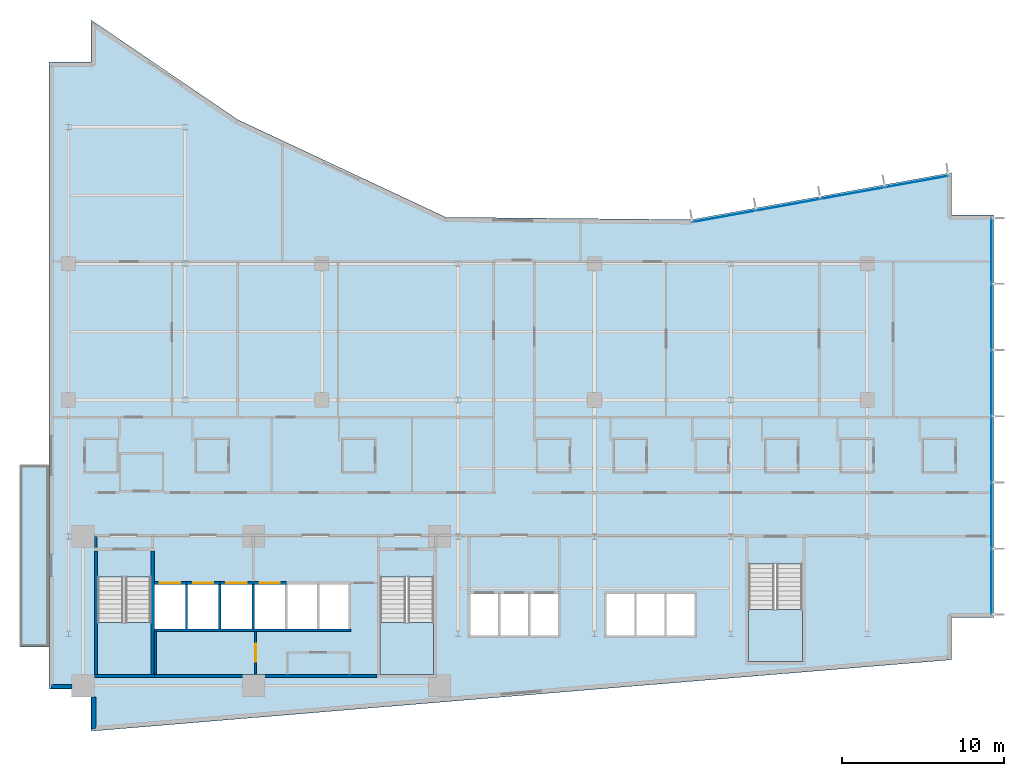
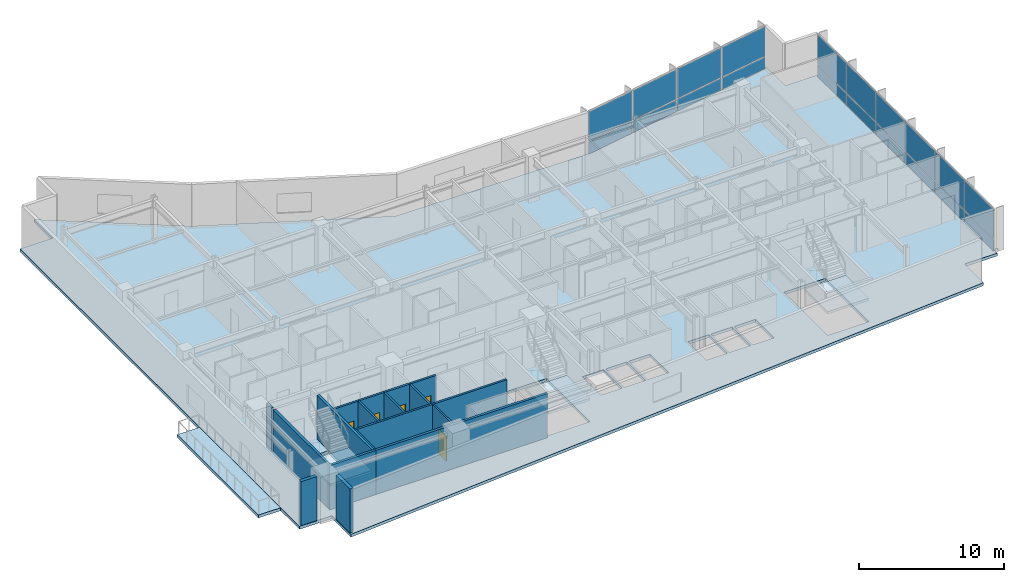
# One storey, part 11 of 20: 20 plates, 17 walls, 5 doors, 5 slabs, 5 openings, 5 elements without a shape of their own.
"""IFC4 building model written with IfcOpenShell, lengths in metres."""

from ifc_helpers import new_model, si_unit, direction, frame, frame_2d, origin, origin_2d, place, context, subcontext, project, spatial, polyline, rectangle, outline, extrude, material, layer, layer_set, type_object, element, fill, aggregate, save


model = new_model("IFC4")

# Units and contexts
model_context = context("Model", 3, precision=1e-05, world=origin(), true_north=direction((0.0, 1.0)))
body_context = subcontext(model_context, "Body", "Model", "MODEL_VIEW")
ifc_project = project(units=[si_unit("LENGTHUNIT", "METRE"), si_unit("AREAUNIT", "SQUARE_METRE"), si_unit("VOLUMEUNIT", "CUBIC_METRE"), si_unit("PLANEANGLEUNIT", "RADIAN"), si_unit("MASSUNIT", "GRAM", prefix="KILO")], contexts=[model_context])

# Site, building, storey
site_placement = place(None, origin())
site = spatial("IfcSite", under=ifc_project, at=site_placement, CompositionType="ELEMENT")
building_placement = place(site_placement, origin())
building = spatial("IfcBuilding", under=site, at=building_placement, Name="Varnakote Quay Hospital", CompositionType="ELEMENT")
storey_placement = place(building_placement, frame((0.0, 0.0, 58.050048828125)))
storey = spatial("IfcBuildingStorey", under=building, at=storey_placement, Name="L14", CompositionType="ELEMENT", Elevation=58.050048828125)

# Curtain wall, plates
ifc_material_1 = material(Name="Anodised aluminium 6063-T6 Bronze", Category="aluminium")
ifc_layer_1 = layer(ifc_material_1, 0.18994140625)
ifc_layer_set_1 = layer_set([ifc_layer_1], Name="Anodised aluminium 6063-T6 Bronze")
curtain_wall_type = type_object("IfcCurtainWallType", Name="CW-SYS-2", PredefinedType="NOTDEFINED", material=ifc_layer_set_1)
curtain_wall_1_placement = place(storey_placement, origin())
curtain_wall_1 = element("IfcCurtainWall", 1, at=curtain_wall_1_placement, inside=storey, type_object=curtain_wall_type, Name="L14 Unitised Bronze Curtain Wall 1", PredefinedType="NOTDEFINED")
ifc_material_2 = material(Name="Double-glazed acoustic laminated glass", Category="glass")
ifc_layer_2 = layer(ifc_material_2, 0.031982421875)
ifc_layer_set_2 = layer_set([ifc_layer_2], Name="Double-glazed acoustic laminated glass")
plate_type = type_object("IfcPlateType", Name="CW-PNL-GLZ-32", PredefinedType="CURTAIN_PANEL", material=ifc_layer_set_2)
plate_1_placement = place(storey_placement, frame((58.0400390625, 9.21875, 0.07470703125), z_axis=(0.0, 0.0, 1.0), x_axis=(0.0, 1.0, 0.0)))
plate_1 = element("IfcPlate", 2, at=plate_1_placement, type_object=plate_type, Name="-2-L14-1 panel 1.1", PredefinedType="CURTAIN_PANEL", context=body_context, shape_type="SweptSolid", body=[
    extrude(rectangle(XDim=3.967529296875, YDim=0.031982421875, at=origin_2d()), origin(), (0.0, 0.0, 1.0), 0.987548828125),
])
plate_2_placement = place(storey_placement, frame((58.0400390625, 9.21875, 1.137451171875), z_axis=(0.0, 0.0, 1.0), x_axis=(0.0, 1.0, 0.0)))
plate_2 = element("IfcPlate", 3, at=plate_2_placement, type_object=plate_type, Name="-2-L14-1 panel 1.2", PredefinedType="CURTAIN_PANEL", context=body_context, shape_type="SweptSolid", body=[
    extrude(rectangle(XDim=3.967529296875, YDim=0.031982421875, at=origin_2d()), origin(), (0.0, 0.0, 1.0), 2.49755859375),
])
plate_3_placement = place(storey_placement, frame((58.0400390625, 13.280029296875, 0.07470703125), z_axis=(0.0, 0.0, 1.0), x_axis=(0.0, 1.0, 0.0)))
plate_3 = element("IfcPlate", 4, at=plate_3_placement, type_object=plate_type, Name="-2-L14-1 panel 2.1", PredefinedType="CURTAIN_PANEL", context=body_context, shape_type="SweptSolid", body=[
    extrude(rectangle(XDim=4.0048828125, YDim=0.031982421875, at=origin_2d()), origin(), (0.0, 0.0, 1.0), 0.987548828125),
])
plate_4_placement = place(storey_placement, frame((58.0400390625, 13.280029296875, 1.137451171875), z_axis=(0.0, 0.0, 1.0), x_axis=(0.0, 1.0, 0.0)))
plate_4 = element("IfcPlate", 5, at=plate_4_placement, type_object=plate_type, Name="-2-L14-1 panel 2.2", PredefinedType="CURTAIN_PANEL", context=body_context, shape_type="SweptSolid", body=[
    extrude(rectangle(XDim=4.0048828125, YDim=0.031982421875, at=origin_2d()), origin(), (0.0, 0.0, 1.0), 2.49755859375),
])
plate_5_placement = place(storey_placement, frame((58.0400390625, 17.360107421875, 0.07470703125), z_axis=(0.0, 0.0, 1.0), x_axis=(0.0, 1.0, 0.0)))
plate_5 = element("IfcPlate", 6, at=plate_5_placement, type_object=plate_type, Name="-2-L14-1 panel 3.1", PredefinedType="CURTAIN_PANEL", context=body_context, shape_type="SweptSolid", body=[
    extrude(rectangle(XDim=4.0048828125, YDim=0.031982421875, at=origin_2d()), origin(), (0.0, 0.0, 1.0), 0.987548828125),
])
plate_6_placement = place(storey_placement, frame((58.0400390625, 17.360107421875, 1.137451171875), z_axis=(0.0, 0.0, 1.0), x_axis=(0.0, 1.0, 0.0)))
plate_6 = element("IfcPlate", 7, at=plate_6_placement, type_object=plate_type, Name="-2-L14-1 panel 3.2", PredefinedType="CURTAIN_PANEL", context=body_context, shape_type="SweptSolid", body=[
    extrude(rectangle(XDim=4.0048828125, YDim=0.031982421875, at=origin_2d()), origin(), (0.0, 0.0, 1.0), 2.49755859375),
])
plate_7_placement = place(storey_placement, frame((58.0400390625, 21.43994140625, 0.07470703125), z_axis=(0.0, 0.0, 1.0), x_axis=(0.0, 1.0, 0.0)))
plate_7 = element("IfcPlate", 8, at=plate_7_placement, type_object=plate_type, Name="-2-L14-1 panel 4.1", PredefinedType="CURTAIN_PANEL", context=body_context, shape_type="SweptSolid", body=[
    extrude(rectangle(XDim=4.0048828125, YDim=0.031982421875, at=origin_2d()), origin(), (0.0, 0.0, 1.0), 0.987548828125),
])
plate_8_placement = place(storey_placement, frame((58.0400390625, 21.43994140625, 1.137451171875), z_axis=(0.0, 0.0, 1.0), x_axis=(0.0, 1.0, 0.0)))
plate_8 = element("IfcPlate", 9, at=plate_8_placement, type_object=plate_type, Name="-2-L14-1 panel 4.2", PredefinedType="CURTAIN_PANEL", context=body_context, shape_type="SweptSolid", body=[
    extrude(rectangle(XDim=4.0048828125, YDim=0.031982421875, at=origin_2d()), origin(), (0.0, 0.0, 1.0), 2.49755859375),
])
plate_9_placement = place(storey_placement, frame((58.0400390625, 25.52001953125, 0.07470703125), z_axis=(0.0, 0.0, 1.0), x_axis=(0.0, 1.0, 0.0)))
plate_9 = element("IfcPlate", 10, at=plate_9_placement, type_object=plate_type, Name="-2-L14-1 panel 5.1", PredefinedType="CURTAIN_PANEL", context=body_context, shape_type="SweptSolid", body=[
    extrude(rectangle(XDim=4.0048828125, YDim=0.031982421875, at=origin_2d()), origin(), (0.0, 0.0, 1.0), 0.987548828125),
])
plate_10_placement = place(storey_placement, frame((58.0400390625, 25.52001953125, 1.137451171875), z_axis=(0.0, 0.0, 1.0), x_axis=(0.0, 1.0, 0.0)))
plate_10 = element("IfcPlate", 11, at=plate_10_placement, type_object=plate_type, Name="-2-L14-1 panel 5.2", PredefinedType="CURTAIN_PANEL", context=body_context, shape_type="SweptSolid", body=[
    extrude(rectangle(XDim=4.0048828125, YDim=0.031982421875, at=origin_2d()), origin(), (0.0, 0.0, 1.0), 2.49755859375),
])
plate_11_placement = place(storey_placement, frame((58.0400390625, 29.581298828125, 0.07470703125), z_axis=(0.0, 0.0, 1.0), x_axis=(0.0, 1.0, 0.0)))
plate_11 = element("IfcPlate", 12, at=plate_11_placement, type_object=plate_type, Name="-2-L14-1 panel 6.1", PredefinedType="CURTAIN_PANEL", context=body_context, shape_type="SweptSolid", body=[
    extrude(rectangle(XDim=3.967529296875, YDim=0.031982421875, at=origin_2d()), origin(), (0.0, 0.0, 1.0), 0.987548828125),
])
plate_12_placement = place(storey_placement, frame((58.0400390625, 29.581298828125, 1.137451171875), z_axis=(0.0, 0.0, 1.0), x_axis=(0.0, 1.0, 0.0)))
plate_12 = element("IfcPlate", 13, at=plate_12_placement, type_object=plate_type, Name="-2-L14-1 panel 6.2", PredefinedType="CURTAIN_PANEL", context=body_context, shape_type="SweptSolid", body=[
    extrude(rectangle(XDim=3.967529296875, YDim=0.031982421875, at=origin_2d()), origin(), (0.0, 0.0, 1.0), 2.49755859375),
])
aggregate(curtain_wall_1, [plate_1, plate_2, plate_3, plate_4, plate_5, plate_6, plate_7, plate_8, plate_9, plate_10, plate_11, plate_12])

curtain_wall_2_placement = place(storey_placement, origin())
curtain_wall_2 = element("IfcCurtainWall", 14, at=curtain_wall_2_placement, inside=storey, type_object=curtain_wall_type, Name="L14 Unitised Bronze Curtain Wall 2", PredefinedType="NOTDEFINED")
plate_13_placement = place(storey_placement, frame((53.440185546875, 33.84716796875, 0.07470703125), z_axis=(0.0, 0.0, 1.0), x_axis=(-0.984058295766, -0.177846199098, 0.0)))
plate_13 = element("IfcPlate", 15, at=plate_13_placement, type_object=plate_type, Name="-2-L14-2 panel 1.1", PredefinedType="CURTAIN_PANEL", context=body_context, shape_type="SweptSolid", body=[
    extrude(rectangle(XDim=3.914306640625, YDim=0.031982421875, at=origin_2d()), origin(), (0.0, 0.0, 1.0), 0.987548828125),
])
plate_14_placement = place(storey_placement, frame((53.440185546875, 33.84716796875, 1.137451171875), z_axis=(0.0, 0.0, 1.0), x_axis=(-0.984058295766, -0.177846199098, 0.0)))
plate_14 = element("IfcPlate", 16, at=plate_14_placement, type_object=plate_type, Name="-2-L14-2 panel 1.2", PredefinedType="CURTAIN_PANEL", context=body_context, shape_type="SweptSolid", body=[
    extrude(rectangle(XDim=3.914306640625, YDim=0.031982421875, at=origin_2d()), origin(), (0.0, 0.0, 1.0), 2.49755859375),
])
plate_15_placement = place(storey_placement, frame((49.49609375, 33.13427734375, 0.07470703125), z_axis=(0.0, 0.0, 1.0), x_axis=(-0.984058295766, -0.177846199098, 0.0)))
plate_15 = element("IfcPlate", 17, at=plate_15_placement, type_object=plate_type, Name="-2-L14-2 panel 2.1", PredefinedType="CURTAIN_PANEL", context=body_context, shape_type="SweptSolid", body=[
    extrude(rectangle(XDim=3.951904296875, YDim=0.031982421875, at=origin_2d()), origin(), (0.0, 0.0, 1.0), 0.987548828125),
])
plate_16_placement = place(storey_placement, frame((49.49609375, 33.13427734375, 1.137451171875), z_axis=(0.0, 0.0, 1.0), x_axis=(-0.984058295766, -0.177846199098, 0.0)))
plate_16 = element("IfcPlate", 18, at=plate_16_placement, type_object=plate_type, Name="-2-L14-2 panel 2.2", PredefinedType="CURTAIN_PANEL", context=body_context, shape_type="SweptSolid", body=[
    extrude(rectangle(XDim=3.951904296875, YDim=0.031982421875, at=origin_2d()), origin(), (0.0, 0.0, 1.0), 2.49755859375),
])
plate_17_placement = place(storey_placement, frame((45.533447265625, 32.418212890625, 0.07470703125), z_axis=(0.0, 0.0, 1.0), x_axis=(-0.984058295766, -0.177846199098, 0.0)))
plate_17 = element("IfcPlate", 19, at=plate_17_placement, type_object=plate_type, Name="-2-L14-2 panel 3.1", PredefinedType="CURTAIN_PANEL", context=body_context, shape_type="SweptSolid", body=[
    extrude(rectangle(XDim=3.951904296875, YDim=0.031982421875, at=origin_2d()), origin(), (0.0, 0.0, 1.0), 0.987548828125),
])
plate_18_placement = place(storey_placement, frame((45.533447265625, 32.418212890625, 1.137451171875), z_axis=(0.0, 0.0, 1.0), x_axis=(-0.984058295766, -0.177846199098, 0.0)))
plate_18 = element("IfcPlate", 20, at=plate_18_placement, type_object=plate_type, Name="-2-L14-2 panel 3.2", PredefinedType="CURTAIN_PANEL", context=body_context, shape_type="SweptSolid", body=[
    extrude(rectangle(XDim=3.951904296875, YDim=0.031982421875, at=origin_2d()), origin(), (0.0, 0.0, 1.0), 2.49755859375),
])
plate_19_placement = place(storey_placement, frame((41.58935546875, 31.705322265625, 0.07470703125), z_axis=(0.0, 0.0, 1.0), x_axis=(-0.984058295766, -0.177846199098, 0.0)))
plate_19 = element("IfcPlate", 21, at=plate_19_placement, type_object=plate_type, Name="-2-L14-2 panel 4.1", PredefinedType="CURTAIN_PANEL", context=body_context, shape_type="SweptSolid", body=[
    extrude(rectangle(XDim=3.914306640625, YDim=0.031982421875, at=origin_2d()), origin(), (0.0, 0.0, 1.0), 0.987548828125),
])
plate_20_placement = place(storey_placement, frame((41.58935546875, 31.705322265625, 1.137451171875), z_axis=(0.0, 0.0, 1.0), x_axis=(-0.984058295766, -0.177846199098, 0.0)))
plate_20 = element("IfcPlate", 22, at=plate_20_placement, type_object=plate_type, Name="-2-L14-2 panel 4.2", PredefinedType="CURTAIN_PANEL", context=body_context, shape_type="SweptSolid", body=[
    extrude(rectangle(XDim=3.914306640625, YDim=0.031982421875, at=origin_2d()), origin(), (0.0, 0.0, 1.0), 2.49755859375),
])
aggregate(curtain_wall_2, [plate_13, plate_14, plate_15, plate_16, plate_17, plate_18, plate_19, plate_20])

# Stair, slab
ifc_material_3 = material(Name="Concrete N40 (f'c 40 MPa)", Category="concrete")
stair_type = type_object("IfcStairType", Name="STR-CORE-1580", PredefinedType="HALF_TURN_STAIR", material=ifc_material_3)
stair_1_placement = place(storey_placement, origin())
stair_1 = element("IfcStair", 23, at=stair_1_placement, inside=storey, type_object=stair_type, Name="L14 Fire-Isolated Exit Stair ST-01", PredefinedType="HALF_TURN_STAIR")
ifc_material_4 = material(Name="Concrete N40 (f'c 40 MPa)", Category="concrete")
ifc_layer_3 = layer(ifc_material_4, 0.199951171875)
ifc_layer_set_3 = layer_set([ifc_layer_3], Name="Concrete N40 (f'c 40 MPa)")
slab_type_1 = type_object("IfcSlabType", Name="SLB-STAIR-LND-200", PredefinedType="LANDING", material=ifc_layer_set_3)
slab_1_placement = place(storey_placement, frame((0.0, 0.0, 1.77490234375)))
slab_1 = element("IfcSlab", 24, at=slab_1_placement, type_object=slab_type_1, Name="ST-01 landing 1", PredefinedType="LANDING", context=body_context, shape_type="SweptSolid", body=[
    extrude(outline(polyline([(3.0, 6.699951171875), (3.0, 3.5), (6.300048828125, 3.5), (6.300048828125, 6.699951171875), (3.0, 6.699951171875)])), origin(), (0.0, 0.0, 1.0), 0.199951171875),
])
aggregate(stair_1, [slab_1])

stair_2_placement = place(storey_placement, origin())
stair_2 = element("IfcStair", 25, at=stair_2_placement, inside=storey, type_object=stair_type, Name="L14 Fire-Isolated Exit Stair ST-02", PredefinedType="HALF_TURN_STAIR")
slab_2_placement = place(storey_placement, frame((0.0, 0.0, 1.77490234375)))
slab_2 = element("IfcSlab", 26, at=slab_2_placement, type_object=slab_type_1, Name="ST-02 landing 1", PredefinedType="LANDING", context=body_context, shape_type="SweptSolid", body=[
    extrude(outline(polyline([(20.39990234375, 6.699951171875), (20.39990234375, 3.5), (23.699951171875, 3.5), (23.699951171875, 6.699951171875), (20.39990234375, 6.699951171875)])), origin(), (0.0, 0.0, 1.0), 0.199951171875),
])
aggregate(stair_2, [slab_2])

stair_3_placement = place(storey_placement, origin())
stair_3 = element("IfcStair", 27, at=stair_3_placement, inside=storey, type_object=stair_type, Name="L14 Fire-Isolated Exit Stair ST-03", PredefinedType="HALF_TURN_STAIR")
slab_3_placement = place(storey_placement, frame((0.0, 0.0, 1.77490234375)))
slab_3 = element("IfcSlab", 28, at=slab_3_placement, type_object=slab_type_1, Name="ST-03 landing 1", PredefinedType="LANDING", context=body_context, shape_type="SweptSolid", body=[
    extrude(outline(polyline([(43.10009765625, 7.5), (43.10009765625, 4.300048828125), (46.39990234375, 4.300048828125), (46.39990234375, 7.5), (43.10009765625, 7.5)])), origin(), (0.0, 0.0, 1.0), 0.199951171875),
])
aggregate(stair_3, [slab_3])

# Slabs
ifc_material_5 = material(Name="Concrete N50 (f'c 50 MPa)", Category="concrete")
ifc_layer_4 = layer(ifc_material_5, 0.239990234375)
ifc_layer_set_4 = layer_set([ifc_layer_4], Name="Concrete N50 (f'c 50 MPa)")
slab_type_2 = type_object("IfcSlabType", Name="SLB-TERR-200", PredefinedType="FLOOR", material=ifc_layer_set_4)
slab_4_placement = place(storey_placement, frame((0.0, 0.0, -0.239990234375)))
element("IfcSlab", 29, at=slab_4_placement, inside=storey, type_object=slab_type_2, Name="L14 Waterfront Healing Terrace Slab", PredefinedType="FLOOR", context=body_context, shape_type="SweptSolid", body=[
    extrude(outline(polyline([(0.00390625, 5.199951171875), (0.00390625, 16.39990234375), (-1.780029296875, 16.39990234375), (-1.780029296875, 5.199951171875), (0.00390625, 5.199951171875)])), origin(), (0.0, 0.0, 1.0), 0.239990234375),
])
ifc_material_6 = material(Name="Concrete N50 (f'c 50 MPa)", Category="concrete")
ifc_layer_5 = layer(ifc_material_6, 0.239990234375)
ifc_layer_set_5 = layer_set([ifc_layer_5], Name="Concrete N50 (f'c 50 MPa)")
slab_type_3 = type_object("IfcSlabType", Name="SLB-WARD-200", PredefinedType="FLOOR", material=ifc_layer_set_5)
slab_5_placement = place(storey_placement, frame((0.0, 0.0, -0.239990234375)))
element("IfcSlab", 30, at=slab_5_placement, inside=storey, type_object=slab_type_3, Name="L14 Primary Floor Slab", PredefinedType="FLOOR", context=body_context, shape_type="SweptSolid", body=[
    extrude(outline(polyline([(0.0, 2.60009765625), (2.60009765625, 2.60009765625), (2.60009765625, 0.0), (55.60009765625, 4.39990234375), (55.60009765625, 7.0), (58.199951171875, 7.0), (58.199951171875, 31.800048828125), (55.60009765625, 31.800048828125), (55.60009765625, 34.39990234375), (39.575927734375, 31.50390625), (24.444091796875, 31.652099609375), (11.639892578125, 37.656005859375), (2.60009765625, 43.800048828125), (2.60009765625, 41.199951171875), (0.0, 41.199951171875), (0.0, 2.60009765625)]), holes=[polyline([(3.0, 3.5), (6.300048828125, 3.5), (6.300048828125, 9.49951171875), (3.0, 9.49951171875), (3.0, 3.5)]), polyline([(20.39990234375, 3.5), (23.699951171875, 3.5), (23.699951171875, 9.49951171875), (20.39990234375, 9.49951171875), (20.39990234375, 3.5)]), polyline([(43.10009765625, 4.300048828125), (46.39990234375, 4.300048828125), (46.39990234375, 10.29931640625), (43.10009765625, 10.29931640625), (43.10009765625, 4.300048828125)]), polyline([(6.5, 6.300048828125), (8.39990234375, 6.300048828125), (8.39990234375, 9.050048828125), (6.5, 9.050048828125), (6.5, 6.300048828125)]), polyline([(8.550048828125, 6.300048828125), (10.449951171875, 6.300048828125), (10.449951171875, 9.050048828125), (8.550048828125, 9.050048828125), (8.550048828125, 6.300048828125)]), polyline([(10.60009765625, 6.300048828125), (12.5, 6.300048828125), (12.5, 9.050048828125), (10.60009765625, 9.050048828125), (10.60009765625, 6.300048828125)]), polyline([(12.64990234375, 6.300048828125), (14.550048828125, 6.300048828125), (14.550048828125, 9.050048828125), (12.64990234375, 9.050048828125), (12.64990234375, 6.300048828125)]), polyline([(14.699951171875, 6.300048828125), (16.5, 6.300048828125), (16.5, 9.050048828125), (14.699951171875, 9.050048828125), (14.699951171875, 6.300048828125)]), polyline([(16.64990234375, 6.300048828125), (18.449951171875, 6.300048828125), (18.449951171875, 9.050048828125), (16.64990234375, 9.050048828125), (16.64990234375, 6.300048828125)]), polyline([(25.949951171875, 5.89990234375), (27.64990234375, 5.89990234375), (27.64990234375, 8.449951171875), (25.949951171875, 8.449951171875), (25.949951171875, 5.89990234375)]), polyline([(27.800048828125, 5.89990234375), (29.5, 5.89990234375), (29.5, 8.449951171875), (27.800048828125, 8.449951171875), (27.800048828125, 5.89990234375)]), polyline([(29.64990234375, 5.89990234375), (31.35009765625, 5.89990234375), (31.35009765625, 8.449951171875), (29.64990234375, 8.449951171875), (29.64990234375, 5.89990234375)]), polyline([(34.35009765625, 5.89990234375), (36.050048828125, 5.89990234375), (36.050048828125, 8.449951171875), (34.35009765625, 8.449951171875), (34.35009765625, 5.89990234375)]), polyline([(36.199951171875, 5.89990234375), (37.89990234375, 5.89990234375), (37.89990234375, 8.449951171875), (36.199951171875, 8.449951171875), (36.199951171875, 5.89990234375)]), polyline([(38.050048828125, 5.89990234375), (39.75, 5.89990234375), (39.75, 8.449951171875), (38.050048828125, 8.449951171875), (38.050048828125, 5.89990234375)])]), origin(), (0.0, 0.0, 1.0), 0.239990234375),
])

# Walls
ifc_material_7 = material(Name="Fire-rated acoustic gypsum stud wall", Category="gypsum")
ifc_layer_6 = layer(ifc_material_7, 0.159912109375)
ifc_layer_set_6 = layer_set([ifc_layer_6], Name="Fire-rated acoustic gypsum stud wall")
wall_type_1 = type_object("IfcWallType", Name="WL-COMP-160", PredefinedType="PARTITIONING", material=ifc_layer_set_6)
wall_1_placement = place(storey_placement, frame((2.8798828125, 11.300048828125, 0.0), z_axis=(0.0, 0.0, 1.0), x_axis=(0.0, 1.0, 0.0)))
element("IfcWall", 31, at=wall_1_placement, inside=storey, type_object=wall_type_1, Name="L14 West Stair Vestibule West Wall", PredefinedType="PARTITIONING", context=body_context, shape_type="SweptSolid", body=[
    extrude(rectangle(XDim=0.699951171875, YDim=0.159912109375, at=frame_2d((0.35009765625, 0.0))), origin(), (0.0, 0.0, 1.0), 3.7099609375),
])
ifc_material_8 = material(Name="Concrete N80 (f'c 80 MPa)", Category="concrete")
ifc_layer_7 = layer(ifc_material_8, 0.199951171875)
ifc_layer_set_7 = layer_set([ifc_layer_7], Name="Concrete N80 (f'c 80 MPa)")
wall_type_2 = type_object("IfcWallType", Name="WL-CORE-N80-200", PredefinedType="SHEAR", material=ifc_layer_set_7)
wall_2_placement = place(storey_placement, frame((6.5, 3.39990234375, 0.0), z_axis=(0.0, 0.0, 1.0), x_axis=(1.0, 0.0, 0.0)))
element("IfcWall", 32, at=wall_2_placement, inside=storey, type_object=wall_type_2, Name="L14 Rear Core South Shear Wall", PredefinedType="SHEAR", context=body_context, shape_type="SweptSolid", body=[
    extrude(rectangle(XDim=13.699951171875, YDim=0.199951171875, at=frame_2d((6.85009765625, 0.0))), origin(), (0.0, 0.0, 1.0), 3.7099609375),
])
ifc_material_9 = material(Name="Precast concrete N50 (f'c 50 MPa)", Category="concrete")
ifc_layer_8 = layer(ifc_material_9, 0.260009765625)
ifc_layer_set_8 = layer_set([ifc_layer_8], Name="Precast concrete N50 (f'c 50 MPa)")
wall_type_3 = type_object("IfcWallType", Name="WL-EXT-BRICK-260", PredefinedType="STANDARD", material=ifc_layer_set_8)
wall_3_placement = place(storey_placement, frame((2.760009765625, 2.114990234375, 0.0), z_axis=(0.0, 0.0, 1.0), x_axis=(0.0, -1.0, 0.0)))
element("IfcWall", 33, at=wall_3_placement, inside=storey, type_object=wall_type_3, Name="L14 Brick-Faced Precast Exterior Wall", PredefinedType="STANDARD", context=body_context, shape_type="SweptSolid", body=[
    extrude(rectangle(XDim=1.941162109375, YDim=0.260009765625, at=frame_2d((0.970703125, 0.0))), origin(), (0.0, 0.0, 1.0), 3.7099609375),
])
wall_4_placement = place(storey_placement, frame((0.159912109375, 2.760009765625, 0.0), z_axis=(0.0, 0.0, 1.0), x_axis=(1.0, 0.0, 0.0)))
element("IfcWall", 34, at=wall_4_placement, inside=storey, type_object=wall_type_3, Name="L14 Brick-Faced Precast Exterior Wall", PredefinedType="STANDARD", context=body_context, shape_type="SweptSolid", body=[
    extrude(rectangle(XDim=1.255126953125, YDim=0.260009765625, at=frame_2d((0.62744140625, 0.0))), origin(), (0.0, 0.0, 1.0), 3.7099609375),
])
ifc_material_10 = material(Name="Concrete N50 (f'c 50 MPa)", Category="concrete")
ifc_layer_9 = layer(ifc_material_10, 0.14990234375)
ifc_layer_set_9 = layer_set([ifc_layer_9], Name="Concrete N50 (f'c 50 MPa)")
wall_type_4 = type_object("IfcWallType", Name="WL-SHAFT-N50-150", PredefinedType="SHEAR", material=ifc_layer_set_9)
for number, where, z_axis, x_axis, name in (
    (35, (8.47509765625, 6.300048828125, 0.0), (0.0, 0.0, 1.0), (0.0, 1.0, 0.0), "L14 LF-FF1 Hoistway Divider Wall"),
    (36, (10.52490234375, 6.300048828125, 0.0), (0.0, 0.0, 1.0), (0.0, 1.0, 0.0), "L14 LF-FF2 Hoistway Divider Wall"),
    (37, (12.574951171875, 6.300048828125, 0.0), (0.0, 0.0, 1.0), (0.0, 1.0, 0.0), "L14 LF-SV1 Hoistway Divider Wall"),
):
    element("IfcWall", number, at=place(storey_placement, frame(where, z_axis=z_axis, x_axis=x_axis)), inside=storey, type_object=wall_type_4, Name=name, PredefinedType="SHEAR", context=body_context, shape_type="SweptSolid", body=[
        extrude(rectangle(XDim=2.75, YDim=0.14990234375, at=frame_2d((1.375, 0.0))), origin(), (0.0, 0.0, 1.0), 3.7099609375),
    ])
ifc_material_11 = material(Name="Concrete N50 (f'c 50 MPa)", Category="concrete")
ifc_layer_10 = layer(ifc_material_11, 0.159912109375)
ifc_layer_set_10 = layer_set([ifc_layer_10], Name="Concrete N50 (f'c 50 MPa)")
wall_type_5 = type_object("IfcWallType", Name="WL-SHAFT-N50-160", PredefinedType="SHEAR", material=ifc_layer_set_10)
wall_5_placement = place(storey_placement, frame((6.5, 6.219970703125, 0.0), z_axis=(0.0, 0.0, 1.0), x_axis=(1.0, 0.0, 0.0)))
element("IfcWall", 38, at=wall_5_placement, inside=storey, type_object=wall_type_5, Name="L14 REAR Lift Bank Back Shear Wall", PredefinedType="SHEAR", context=body_context, shape_type="SweptSolid", body=[
    extrude(rectangle(XDim=12.110107421875, YDim=0.159912109375, at=frame_2d((6.05517578125, 0.0))), origin(), (0.0, 0.0, 1.0), 3.7099609375),
])

# Wall, opening, door
wall_6_placement = place(storey_placement, frame((6.5, 9.1298828125, 0.0), z_axis=(0.0, 0.0, 1.0), x_axis=(1.0, 0.0, 0.0)))
wall_6 = element("IfcWall", 39, at=wall_6_placement, inside=storey, type_object=wall_type_5, Name="L14 LF-FF1 Hoistway Front Wall", PredefinedType="SHEAR", context=body_context, shape_type="SweptSolid", body=[
    extrude(rectangle(XDim=1.97509765625, YDim=0.159912109375, at=frame_2d((0.987548828125, 0.0))), origin(), (0.0, 0.0, 1.0), 3.7099609375),
])
opening_1_placement = place(wall_6_placement, frame((0.324951171875, 0.0, 0.0)))
opening_1 = element("IfcOpeningElement", 40, at=opening_1_placement, cuts=wall_6, Name="Opening LD-FF1-L14", PredefinedType="OPENING", context=body_context, shape_type="SweptSolid", body=[
    extrude(rectangle(XDim=1.25, YDim=2.14990234375, at=frame_2d((0.625, 1.074951171875))), frame((0.0, 0.08984375, 0.0), z_axis=(0.0, -1.0, 0.0), x_axis=(1.0, 0.0, 0.0)), (0.0, 0.0, 1.0), 0.179931640625),
])
ifc_material_12 = material(Name="Stainless steel lift landing sliding door", Category="steel")
door_type_1 = type_object("IfcDoorType", Name="DR-LIFT-LD-1250x2150", OperationType="NOTDEFINED", PredefinedType="DOOR", material=ifc_material_12)
door_1_placement = place(opening_1_placement, origin())
door_1 = element("IfcDoor", 41, at=door_1_placement, inside=storey, type_object=door_type_1, Name="L14 LF-FF1 Lift Landing Sliding Door", OperationType="SLIDING_TO_LEFT", OverallHeight=2.14990234375, OverallWidth=1.25, PredefinedType="DOOR", context=body_context, shape_type="SweptSolid", body=[
    extrude(rectangle(XDim=1.25, YDim=2.14990234375, at=frame_2d((0.625, 1.074951171875))), frame((0.0, 0.02490234375, 0.0), z_axis=(0.0, -1.0, 0.0), x_axis=(1.0, 0.0, 0.0)), (0.0, 0.0, 1.0), 0.050048828125),
])
fill(opening_1, door_1)

wall_7_placement = place(storey_placement, frame((8.47509765625, 9.1298828125, 0.0), z_axis=(0.0, 0.0, 1.0), x_axis=(1.0, 0.0, 0.0)))
wall_7 = element("IfcWall", 42, at=wall_7_placement, inside=storey, type_object=wall_type_5, Name="L14 LF-FF2 Hoistway Front Wall", PredefinedType="SHEAR", context=body_context, shape_type="SweptSolid", body=[
    extrude(rectangle(XDim=2.0498046875, YDim=0.159912109375, at=frame_2d((1.02490234375, 0.0))), origin(), (0.0, 0.0, 1.0), 3.7099609375),
])
opening_2_placement = place(wall_7_placement, frame((0.39990234375, 0.0, 0.0)))
opening_2 = element("IfcOpeningElement", 43, at=opening_2_placement, cuts=wall_7, Name="Opening LD-FF2-L14", PredefinedType="OPENING", context=body_context, shape_type="SweptSolid", body=[
    extrude(rectangle(XDim=1.25, YDim=2.14990234375, at=frame_2d((0.625, 1.074951171875))), frame((0.0, 0.08984375, 0.0), z_axis=(0.0, -1.0, 0.0), x_axis=(1.0, 0.0, 0.0)), (0.0, 0.0, 1.0), 0.179931640625),
])
door_2_placement = place(opening_2_placement, origin())
door_2 = element("IfcDoor", 44, at=door_2_placement, inside=storey, type_object=door_type_1, Name="L14 LF-FF2 Lift Landing Sliding Door", OperationType="SLIDING_TO_LEFT", OverallHeight=2.14990234375, OverallWidth=1.25, PredefinedType="DOOR", context=body_context, shape_type="SweptSolid", body=[
    extrude(rectangle(XDim=1.25, YDim=2.14990234375, at=frame_2d((0.625, 1.074951171875))), frame((0.0, 0.02490234375, 0.0), z_axis=(0.0, -1.0, 0.0), x_axis=(1.0, 0.0, 0.0)), (0.0, 0.0, 1.0), 0.050048828125),
])
fill(opening_2, door_2)

wall_8_placement = place(storey_placement, frame((10.52490234375, 9.1298828125, 0.0), z_axis=(0.0, 0.0, 1.0), x_axis=(1.0, 0.0, 0.0)))
wall_8 = element("IfcWall", 45, at=wall_8_placement, inside=storey, type_object=wall_type_5, Name="L14 LF-SV1 Hoistway Front Wall", PredefinedType="SHEAR", context=body_context, shape_type="SweptSolid", body=[
    extrude(rectangle(XDim=2.050048828125, YDim=0.159912109375, at=frame_2d((1.02490234375, 0.0))), origin(), (0.0, 0.0, 1.0), 3.7099609375),
])
opening_3_placement = place(wall_8_placement, frame((0.39990234375, 0.0, 0.0)))
opening_3 = element("IfcOpeningElement", 46, at=opening_3_placement, cuts=wall_8, Name="Opening LD-SV1-L14", PredefinedType="OPENING", context=body_context, shape_type="SweptSolid", body=[
    extrude(rectangle(XDim=1.25, YDim=2.14990234375, at=frame_2d((0.625, 1.074951171875))), frame((0.0, 0.08984375, 0.0), z_axis=(0.0, -1.0, 0.0), x_axis=(1.0, 0.0, 0.0)), (0.0, 0.0, 1.0), 0.179931640625),
])
door_3_placement = place(opening_3_placement, origin())
door_3 = element("IfcDoor", 47, at=door_3_placement, inside=storey, type_object=door_type_1, Name="L14 LF-SV1 Lift Landing Sliding Door", OperationType="SLIDING_TO_LEFT", OverallHeight=2.14990234375, OverallWidth=1.25, PredefinedType="DOOR", context=body_context, shape_type="SweptSolid", body=[
    extrude(rectangle(XDim=1.25, YDim=2.14990234375, at=frame_2d((0.625, 1.074951171875))), frame((0.0, 0.02490234375, 0.0), z_axis=(0.0, -1.0, 0.0), x_axis=(1.0, 0.0, 0.0)), (0.0, 0.0, 1.0), 0.050048828125),
])
fill(opening_3, door_3)

wall_9_placement = place(storey_placement, frame((12.574951171875, 9.1298828125, 0.0), z_axis=(0.0, 0.0, 1.0), x_axis=(1.0, 0.0, 0.0)))
wall_9 = element("IfcWall", 48, at=wall_9_placement, inside=storey, type_object=wall_type_5, Name="L14 LF-SV2 Hoistway Front Wall", PredefinedType="SHEAR", context=body_context, shape_type="SweptSolid", body=[
    extrude(rectangle(XDim=2.050048828125, YDim=0.159912109375, at=frame_2d((1.02490234375, 0.0))), origin(), (0.0, 0.0, 1.0), 3.7099609375),
])
opening_4_placement = place(wall_9_placement, frame((0.39990234375, 0.0, 0.0)))
opening_4 = element("IfcOpeningElement", 49, at=opening_4_placement, cuts=wall_9, Name="Opening LD-SV2-L14", PredefinedType="OPENING", context=body_context, shape_type="SweptSolid", body=[
    extrude(rectangle(XDim=1.25, YDim=2.14990234375, at=frame_2d((0.625, 1.074951171875))), frame((0.0, 0.08984375, 0.0), z_axis=(0.0, -1.0, 0.0), x_axis=(1.0, 0.0, 0.0)), (0.0, 0.0, 1.0), 0.179931640625),
])
door_4_placement = place(opening_4_placement, origin())
door_4 = element("IfcDoor", 50, at=door_4_placement, inside=storey, type_object=door_type_1, Name="L14 LF-SV2 Lift Landing Sliding Door", OperationType="SLIDING_TO_LEFT", OverallHeight=2.14990234375, OverallWidth=1.25, PredefinedType="DOOR", context=body_context, shape_type="SweptSolid", body=[
    extrude(rectangle(XDim=1.25, YDim=2.14990234375, at=frame_2d((0.625, 1.074951171875))), frame((0.0, 0.02490234375, 0.0), z_axis=(0.0, -1.0, 0.0), x_axis=(1.0, 0.0, 0.0)), (0.0, 0.0, 1.0), 0.050048828125),
])
fill(opening_4, door_4)

# Walls
ifc_material_13 = material(Name="Concrete N50 (f'c 50 MPa)", Category="concrete")
ifc_layer_11 = layer(ifc_material_13, 0.199951171875)
ifc_layer_set_11 = layer_set([ifc_layer_11], Name="Concrete N50 (f'c 50 MPa)")
wall_type_6 = type_object("IfcWallType", Name="WL-SHAFT-N50-200", PredefinedType="SHEAR", material=ifc_layer_set_11)
wall_10_placement = place(storey_placement, frame((2.800048828125, 3.39990234375, 0.0), z_axis=(0.0, 0.0, 1.0), x_axis=(1.0, 0.0, 0.0)))
element("IfcWall", 51, at=wall_10_placement, inside=storey, type_object=wall_type_6, Name="L14 Stair ST1 South Shaft Wall", PredefinedType="SHEAR", context=body_context, shape_type="SweptSolid", body=[
    extrude(rectangle(XDim=3.699951171875, YDim=0.199951171875, at=frame_2d((1.85009765625, 0.0))), origin(), (0.0, 0.0, 1.0), 3.7099609375),
])
for number, where, z_axis, x_axis, name in (
    (52, (2.89990234375, 3.5, 0.0), (0.0, 0.0, 1.0), (0.0, 1.0, 0.0), "L14 Stair ST1 West Shaft Wall"),
    (53, (6.39990234375, 3.5, 0.0), (0.0, 0.0, 1.0), (0.0, 1.0, 0.0), "L14 Stair ST1 East Shaft Wall"),
):
    element("IfcWall", number, at=place(storey_placement, frame(where, z_axis=z_axis, x_axis=x_axis)), inside=storey, type_object=wall_type_6, Name=name, PredefinedType="SHEAR", context=body_context, shape_type="SweptSolid", body=[
        extrude(rectangle(XDim=7.60009765625, YDim=0.199951171875, at=frame_2d((3.800048828125, 0.0))), origin(), (0.0, 0.0, 1.0), 3.7099609375),
    ])
ifc_material_14 = material(Name="Smoke-proof clinical partition", Category="gypsum")
ifc_layer_12 = layer(ifc_material_14, 0.1201171875)
ifc_layer_set_12 = layer_set([ifc_layer_12], Name="Smoke-proof clinical partition")
wall_type_7 = type_object("IfcWallType", Name="WL-SMOKE-120", PredefinedType="PARTITIONING", material=ifc_layer_set_12)
wall_11_placement = place(storey_placement, frame((6.56005859375, 3.52001953125, 0.0), z_axis=(0.0, 0.0, 1.0), x_axis=(0.0, 1.0, 0.0)))
element("IfcWall", 54, at=wall_11_placement, inside=storey, type_object=wall_type_7, Name="L14 Core West Store West Wall", PredefinedType="PARTITIONING", context=body_context, shape_type="SweptSolid", body=[
    extrude(rectangle(XDim=2.619873046875, YDim=0.1201171875, at=frame_2d((1.31005859375, 0.0))), origin(), (0.0, 0.0, 1.0), 3.7099609375),
])

# Wall, opening, door
ifc_material_15 = material(Name="Fire-rated clinical gypsum partition", Category="gypsum")
ifc_layer_13 = layer(ifc_material_15, 0.139892578125)
ifc_layer_set_13 = layer_set([ifc_layer_13], Name="Fire-rated clinical gypsum partition")
wall_type_8 = type_object("IfcWallType", Name="WL-WARD-140", PredefinedType="PARTITIONING", material=ifc_layer_set_13)
wall_12_placement = place(storey_placement, frame((12.72998046875, 3.52001953125, 0.0), z_axis=(0.0, 0.0, 1.0), x_axis=(0.0, 1.0, 0.0)))
wall_12 = element("IfcWall", 55, at=wall_12_placement, inside=storey, type_object=wall_type_8, Name="L14 Core Clean Equipment Store East Wall", PredefinedType="PARTITIONING", context=body_context, shape_type="SweptSolid", body=[
    extrude(rectangle(XDim=2.619873046875, YDim=0.139892578125, at=frame_2d((1.31005859375, 0.0))), origin(), (0.0, 0.0, 1.0), 3.7099609375),
])
opening_5_placement = place(wall_12_placement, frame((0.760009765625, 0.0, 0.0)))
opening_5 = element("IfcOpeningElement", 56, at=opening_5_placement, cuts=wall_12, Name="Opening D-L14-CR01", PredefinedType="OPENING", context=body_context, shape_type="SweptSolid", body=[
    extrude(rectangle(XDim=1.10009765625, YDim=2.10009765625, at=frame_2d((0.550048828125, 1.050048828125))), frame((0.0, 0.079833984375, 0.0), z_axis=(0.0, -1.0, 0.0), x_axis=(1.0, 0.0, 0.0)), (0.0, 0.0, 1.0), 0.159912109375),
])
ifc_material_16 = material(Name="Acoustic timber clinical consult door", Category="wood")
door_type_2 = type_object("IfcDoorType", Name="DR-CLIN-FD30S-1100x2100", OperationType="NOTDEFINED", PredefinedType="DOOR", material=ifc_material_16)
door_5_placement = place(opening_5_placement, origin())
door_5 = element("IfcDoor", 57, at=door_5_placement, inside=storey, type_object=door_type_2, Name="L14 Core Clean Equipment Store Door", OperationType="SINGLE_SWING_LEFT", OverallHeight=2.10009765625, OverallWidth=1.10009765625, PredefinedType="DOOR", context=body_context, shape_type="SweptSolid", body=[
    extrude(rectangle(XDim=1.10009765625, YDim=2.10009765625, at=frame_2d((0.550048828125, 1.050048828125))), frame((0.0, 0.02490234375, 0.0), z_axis=(0.0, -1.0, 0.0), x_axis=(1.0, 0.0, 0.0)), (0.0, 0.0, 1.0), 0.050048828125),
])
fill(opening_5, door_5)

save(model, "model.ifc")
